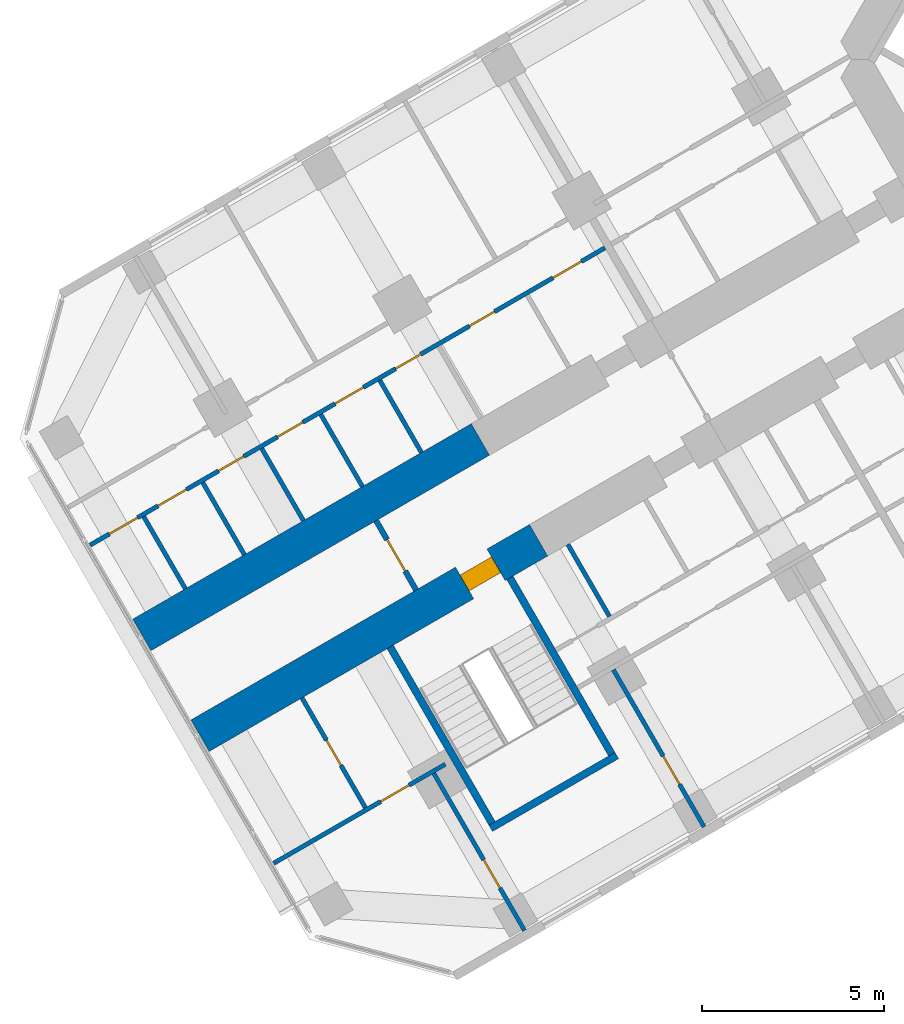
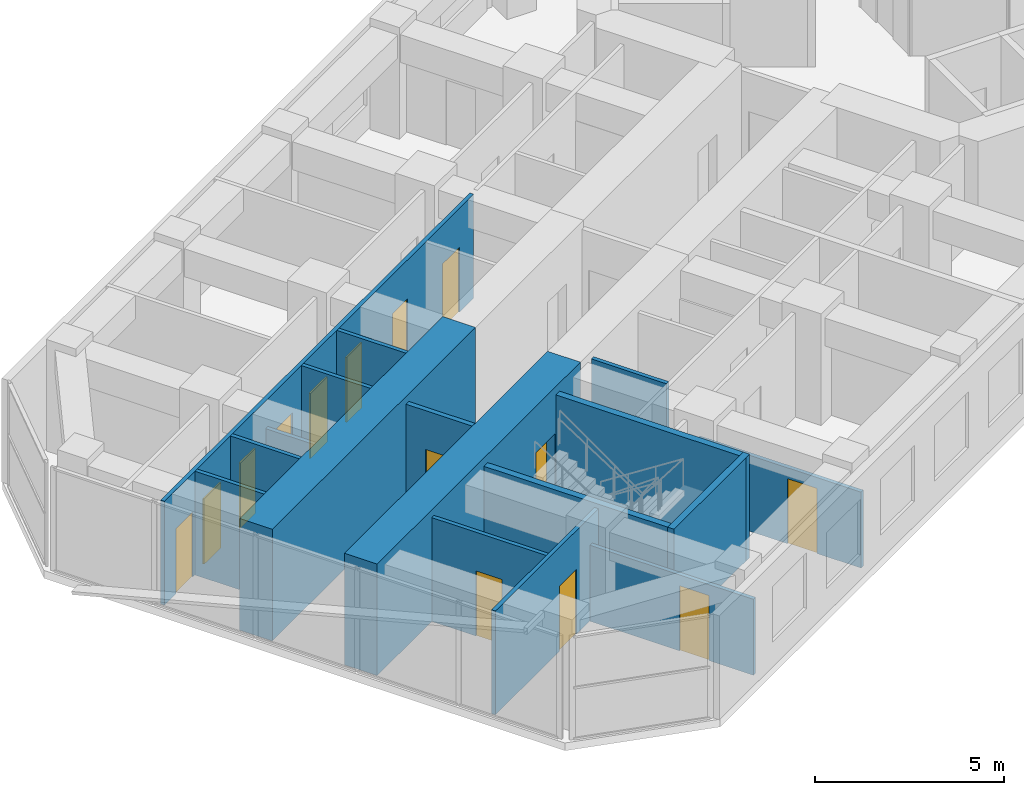
# One storey, part 10 of 21: 17 walls, 14 doors, 14 openings.
"""IFC4 building model written with IfcOpenShell, lengths in metres."""

from ifc_helpers import new_model, si_unit, direction, frame, frame_2d, origin, place, context, subcontext, project, spatial, rectangle, extrude, material, layer, layer_set, type_object, element, fill, save


model = new_model("IFC4")

# Units and contexts
model_context = context("Model", 3, precision=1e-05, world=origin(), true_north=direction((0.0, 1.0)))
body_context = subcontext(model_context, "Body", "Model", "MODEL_VIEW")
ifc_project = project(units=[si_unit("LENGTHUNIT", "METRE"), si_unit("AREAUNIT", "SQUARE_METRE"), si_unit("VOLUMEUNIT", "CUBIC_METRE"), si_unit("PLANEANGLEUNIT", "RADIAN"), si_unit("MASSUNIT", "GRAM", prefix="KILO")], contexts=[model_context])

# Site, building, storey
site_placement = place(None, origin())
site = spatial("IfcSite", under=ifc_project, at=site_placement, CompositionType="ELEMENT")
building_placement = place(site_placement, origin())
building = spatial("IfcBuilding", under=site, at=building_placement, Name="Kosmar Iwan School Tower", CompositionType="ELEMENT")
storey_placement = place(building_placement, frame((0.0, 0.0, 106.0)))
storey = spatial("IfcBuildingStorey", under=building, at=storey_placement, Name="L26", CompositionType="ELEMENT", Elevation=106.0)

# Wall, opening, door
ifc_material_1 = material(Name="Concrete C50/60", Category="concrete")
ifc_layer_1 = layer(ifc_material_1, 1.0)
ifc_layer_set_1 = layer_set([ifc_layer_1], Name="Corridor buttress wall 1000")
wall_type_1 = type_object("IfcWallType", Name="Corridor buttress wall 1000", PredefinedType="SHEAR", material=ifc_layer_set_1)
wall_1_placement = place(storey_placement, frame((-19.681396484375, -13.210693359375, 0.0), z_axis=(0.0, 0.0, 1.0), x_axis=(-0.866028186671, -0.499995179869, 0.0)))
wall_1 = element("IfcWall", 1, at=wall_1_placement, inside=storey, type_object=wall_type_1, Name="Corridor wall BL bay 3", PredefinedType="SHEAR", context=body_context, shape_type="SweptSolid", body=[
    extrude(rectangle(XDim=10.7451171875, YDim=1.0, at=frame_2d((5.37255859375, 0.0))), origin(), (0.0, 0.0, 1.0), 3.60009765625),
])
opening_1_placement = place(wall_1_placement, frame((1.35009765625, 0.0, 0.0)))
opening_1 = element("IfcOpeningElement", 2, at=opening_1_placement, cuts=wall_1, Name="Opening D6", PredefinedType="OPENING", context=body_context, shape_type="SweptSolid", body=[
    extrude(rectangle(XDim=1.0, YDim=2.10009765625, at=frame_2d((0.5, 1.050048828125))), frame((0.0, 0.511962890625, 0.0), z_axis=(0.0, -1.0, 0.0), x_axis=(1.0, 0.0, 0.0)), (0.0, 0.0, 1.0), 1.02392578125),
])
ifc_material_2 = material(Name="Steel fire door", Category="steel")
door_type_1 = type_object("IfcDoorType", Name="Stair door 1000x2100", OperationType="SINGLE_SWING_LEFT", PredefinedType="DOOR", material=ifc_material_2)
door_1_placement = place(opening_1_placement, origin())
door_1 = element("IfcDoor", 3, at=door_1_placement, inside=storey, type_object=door_type_1, Name="Stair WS2 door L26", OperationType="SINGLE_SWING_LEFT", OverallHeight=2.10009765625, OverallWidth=1.0, PredefinedType="DOOR", context=body_context, shape_type="SweptSolid", body=[
    extrude(rectangle(XDim=1.0, YDim=2.10009765625, at=frame_2d((0.5, 1.050048828125))), frame((0.0, 0.25, 0.0), z_axis=(0.0, -1.0, 0.0), x_axis=(1.0, 0.0, 0.0)), (0.0, 0.0, 1.0), 0.5),
])
fill(opening_1, door_1)

# Wall
wall_2_placement = place(storey_placement, frame((-21.281494140625, -10.439453125, 0.0), z_axis=(0.0, 0.0, 1.0), x_axis=(-0.866032345022, -0.499987977232, 0.0)))
element("IfcWall", 4, at=wall_2_placement, inside=storey, type_object=wall_type_1, Name="Corridor wall BR bay 3", PredefinedType="SHEAR", context=body_context, shape_type="SweptSolid", body=[
    extrude(rectangle(XDim=10.744873046875, YDim=1.0, at=frame_2d((5.37255859375, 0.0))), origin(), (0.0, 0.0, 1.0), 3.60009765625),
])

# Wall, opening, door
ifc_material_3 = material(Name="Gypsum board on steel studs, fire-rated", Category="steel")
ifc_layer_2 = layer(ifc_material_3, 0.14990234375)
ifc_layer_set_2 = layer_set([ifc_layer_2], Name="Corridor end wall 150")
wall_type_2 = type_object("IfcWallType", Name="Corridor end wall 150", PredefinedType="PARTITIONING", material=ifc_layer_set_2)
wall_3_placement = place(storey_placement, frame((-24.149169921875, -12.67236328125, 0.0), z_axis=(0.0, 0.0, 1.0), x_axis=(0.50002983664, -0.866008176907, 0.0)))
wall_3 = element("IfcWall", 5, at=wall_3_placement, inside=storey, type_object=wall_type_2, Name="Partition L26-B-CE", PredefinedType="PARTITIONING", context=body_context, shape_type="SweptSolid", body=[
    extrude(rectangle(XDim=2.199951171875, YDim=0.14990234375, at=frame_2d((1.10009765625, 0.0))), origin(), (0.0, 0.0, 1.0), 3.35009765625),
])
opening_2_placement = place(wall_3_placement, frame((0.60009765625, 0.0, 0.0)))
opening_2 = element("IfcOpeningElement", 6, at=opening_2_placement, cuts=wall_3, Name="Opening D13", PredefinedType="OPENING", context=body_context, shape_type="SweptSolid", body=[
    extrude(rectangle(XDim=1.0, YDim=2.10009765625, at=frame_2d((0.5, 1.050048828125))), frame((0.0, 0.0869140625, 0.0), z_axis=(0.0, -1.0, 0.0), x_axis=(1.0, 0.0, 0.0)), (0.0, 0.0, 1.0), 0.173828125),
])
ifc_material_4 = material(Name="Timber fire door with vision panel", Category="wood")
door_type_2 = type_object("IfcDoorType", Name="Corridor end door 1000x2100", OperationType="SINGLE_SWING_LEFT", PredefinedType="DOOR", material=ifc_material_4)
door_2_placement = place(opening_2_placement, origin())
door_2 = element("IfcDoor", 7, at=door_2_placement, inside=storey, type_object=door_type_2, Name="Reading room door L26-B", OperationType="SINGLE_SWING_LEFT", OverallHeight=2.10009765625, OverallWidth=1.0, PredefinedType="DOOR", context=body_context, shape_type="SweptSolid", body=[
    extrude(rectangle(XDim=1.0, YDim=2.10009765625, at=frame_2d((0.5, 1.050048828125))), frame((0.0, 0.02490234375, 0.0), z_axis=(0.0, -1.0, 0.0), x_axis=(1.0, 0.0, 0.0)), (0.0, 0.0, 1.0), 0.050048828125),
])
fill(opening_2, door_2)

# Wall
ifc_material_5 = material(Name="Gypsum board on steel studs", Category="steel")
ifc_layer_3 = layer(ifc_material_5, 0.1201171875)
ifc_layer_set_3 = layer_set([ifc_layer_3], Name="Dwelling partition 120")
wall_type_3 = type_object("IfcWallType", Name="Dwelling partition 120", PredefinedType="PARTITIONING", material=ifc_layer_set_3)
wall_4_placement = place(storey_placement, frame((-18.877197265625, -13.32373046875, 0.0), z_axis=(0.0, 0.0, 1.0), x_axis=(0.500014693593, -0.866016920268, 0.0)))
element("IfcWall", 8, at=wall_4_placement, inside=storey, type_object=wall_type_3, Name="Partition L26-BL2-Y4", PredefinedType="PARTITIONING", context=body_context, shape_type="SweptSolid", body=[
    extrude(rectangle(XDim=2.2900390625, YDim=0.1201171875, at=frame_2d((1.14501953125, 0.0))), origin(), (0.0, 0.0, 1.0), 3.35009765625),
])

# Wall, opening, door
wall_5_placement = place(storey_placement, frame((-17.62646484375, -16.77001953125, 0.0), z_axis=(0.0, 0.0, 1.0), x_axis=(0.499975153383, -0.86603974851, 0.0)))
wall_5 = element("IfcWall", 9, at=wall_5_placement, inside=storey, type_object=wall_type_3, Name="Partition L26-BL2-TB", PredefinedType="PARTITIONING", context=body_context, shape_type="SweptSolid", body=[
    extrude(rectangle(XDim=4.989990234375, YDim=0.1201171875, at=frame_2d((2.4951171875, 0.0))), origin(), (0.0, 0.0, 1.0), 2.449951171875),
])
opening_3_placement = place(wall_5_placement, frame((2.739990234375, 0.0, 0.0)))
opening_3 = element("IfcOpeningElement", 10, at=opening_3_placement, cuts=wall_5, Name="Opening D2", PredefinedType="OPENING", context=body_context, shape_type="SweptSolid", body=[
    extrude(rectangle(XDim=0.89990234375, YDim=2.10009765625, at=frame_2d((0.449951171875, 1.050048828125))), frame((0.0, 0.072021484375, 0.0), z_axis=(0.0, -1.0, 0.0), x_axis=(1.0, 0.0, 0.0)), (0.0, 0.0, 1.0), 0.14404296875),
])
ifc_material_6 = material(Name="Timber door in timber frame", Category="wood")
door_type_3 = type_object("IfcDoorType", Name="Internal door 900x2100", OperationType="SINGLE_SWING_LEFT", PredefinedType="DOOR", material=ifc_material_6)
door_3_placement = place(opening_3_placement, origin())
door_3 = element("IfcDoor", 11, at=door_3_placement, inside=storey, type_object=door_type_3, Name="Study door L26-BL2-F2", OperationType="SINGLE_SWING_RIGHT", OverallHeight=2.10009765625, OverallWidth=0.89990234375, PredefinedType="DOOR", context=body_context, shape_type="SweptSolid", body=[
    extrude(rectangle(XDim=0.89990234375, YDim=2.10009765625, at=frame_2d((0.449951171875, 1.050048828125))), frame((0.0, 0.02490234375, 0.0), z_axis=(0.0, -1.0, 0.0), x_axis=(1.0, 0.0, 0.0)), (0.0, 0.0, 1.0), 0.050048828125),
])
fill(opening_3, door_3)

wall_6_placement = place(storey_placement, frame((-22.562744140625, -19.6201171875, 0.0), z_axis=(0.0, 0.0, 1.0), x_axis=(0.499996339024, -0.86602751744, 0.0)))
wall_6 = element("IfcWall", 12, at=wall_6_placement, inside=storey, type_object=wall_type_3, Name="Partition L26-BL2-TX", PredefinedType="PARTITIONING", context=body_context, shape_type="SweptSolid", body=[
    extrude(rectangle(XDim=4.98974609375, YDim=0.1201171875, at=frame_2d((2.494873046875, 0.0))), origin(), (0.0, 0.0, 1.0), 2.449951171875),
])
opening_4_placement = place(wall_6_placement, frame((2.739990234375, 0.0, 0.0)))
opening_4 = element("IfcOpeningElement", 13, at=opening_4_placement, cuts=wall_6, Name="Opening D2", PredefinedType="OPENING", context=body_context, shape_type="SweptSolid", body=[
    extrude(rectangle(XDim=0.89990234375, YDim=2.10009765625, at=frame_2d((0.449951171875, 1.050048828125))), frame((0.0, 0.072021484375, 0.0), z_axis=(0.0, -1.0, 0.0), x_axis=(1.0, 0.0, 0.0)), (0.0, 0.0, 1.0), 0.14404296875),
])
door_4_placement = place(opening_4_placement, origin())
door_4 = element("IfcDoor", 14, at=door_4_placement, inside=storey, type_object=door_type_3, Name="Study door L26-BL2-T1", OperationType="SINGLE_SWING_RIGHT", OverallHeight=2.10009765625, OverallWidth=0.89990234375, PredefinedType="DOOR", context=body_context, shape_type="SweptSolid", body=[
    extrude(rectangle(XDim=0.89990234375, YDim=2.10009765625, at=frame_2d((0.449951171875, 1.050048828125))), frame((0.0, 0.02490234375, 0.0), z_axis=(0.0, -1.0, 0.0), x_axis=(1.0, 0.0, 0.0)), (0.0, 0.0, 1.0), 0.050048828125),
])
fill(opening_4, door_4)

wall_7_placement = place(storey_placement, frame((-22.246337890625, -19.3681640625, 0.0), z_axis=(0.0, 0.0, 1.0), x_axis=(-0.866035508231, -0.499982498177, 0.0)))
wall_7 = element("IfcWall", 15, at=wall_7_placement, inside=storey, type_object=wall_type_3, Name="Partition L26-BL2-TW", PredefinedType="PARTITIONING", context=body_context, shape_type="SweptSolid", body=[
    extrude(rectangle(XDim=5.445068359375, YDim=0.1201171875, at=frame_2d((2.72265625, 0.0))), origin(), (0.0, 0.0, 1.0), 3.35009765625),
])
opening_5_placement = place(wall_7_placement, frame((1.14990234375, 0.0, 0.0)))
opening_5 = element("IfcOpeningElement", 16, at=opening_5_placement, cuts=wall_7, Name="Opening D2", PredefinedType="OPENING", context=body_context, shape_type="SweptSolid", body=[
    extrude(rectangle(XDim=0.89990234375, YDim=2.10009765625, at=frame_2d((0.449951171875, 1.050048828125))), frame((0.0, 0.072021484375, 0.0), z_axis=(0.0, -1.0, 0.0), x_axis=(1.0, 0.0, 0.0)), (0.0, 0.0, 1.0), 0.14404296875),
])
door_5_placement = place(opening_5_placement, origin())
door_5 = element("IfcDoor", 17, at=door_5_placement, inside=storey, type_object=door_type_3, Name="Dressing room door L26-BL2-T3", OperationType="SINGLE_SWING_LEFT", OverallHeight=2.10009765625, OverallWidth=0.89990234375, PredefinedType="DOOR", context=body_context, shape_type="SweptSolid", body=[
    extrude(rectangle(XDim=0.89990234375, YDim=2.10009765625, at=frame_2d((0.449951171875, 1.050048828125))), frame((0.0, 0.02490234375, 0.0), z_axis=(0.0, -1.0, 0.0), x_axis=(1.0, 0.0, 0.0)), (0.0, 0.0, 1.0), 0.050048828125),
])
fill(opening_5, door_5)

wall_8_placement = place(storey_placement, frame((-26.1865234375, -17.543701171875, 0.0), z_axis=(0.0, 0.0, 1.0), x_axis=(0.50002117804, -0.866013176292, 0.0)))
wall_8 = element("IfcWall", 18, at=wall_8_placement, inside=storey, type_object=wall_type_3, Name="Partition L26-BL2-TY", PredefinedType="PARTITIONING", context=body_context, shape_type="SweptSolid", body=[
    extrude(rectangle(XDim=3.489990234375, YDim=0.1201171875, at=frame_2d((1.7451171875, 0.0))), origin(), (0.0, 0.0, 1.0), 3.35009765625),
])
opening_6_placement = place(wall_8_placement, frame((1.344970703125, 0.0, 0.0)))
opening_6 = element("IfcOpeningElement", 19, at=opening_6_placement, cuts=wall_8, Name="Opening D3", PredefinedType="OPENING", context=body_context, shape_type="SweptSolid", body=[
    extrude(rectangle(XDim=0.800048828125, YDim=2.10009765625, at=frame_2d((0.39990234375, 1.050048828125))), frame((0.0, 0.072021484375, 0.0), z_axis=(0.0, -1.0, 0.0), x_axis=(1.0, 0.0, 0.0)), (0.0, 0.0, 1.0), 0.14404296875),
])
ifc_material_7 = material(Name="Timber door in timber frame", Category="wood")
door_type_4 = type_object("IfcDoorType", Name="Sanitary room door 800x2100", OperationType="SINGLE_SWING_LEFT", PredefinedType="DOOR", material=ifc_material_7)
door_6_placement = place(opening_6_placement, origin())
door_6 = element("IfcDoor", 20, at=door_6_placement, inside=storey, type_object=door_type_4, Name="Shower room door L26-BL2-T4", OperationType="SINGLE_SWING_LEFT", OverallHeight=2.10009765625, OverallWidth=0.800048828125, PredefinedType="DOOR", context=body_context, shape_type="SweptSolid", body=[
    extrude(rectangle(XDim=0.800048828125, YDim=2.10009765625, at=frame_2d((0.39990234375, 1.050048828125))), frame((0.0, 0.02490234375, 0.0), z_axis=(0.0, -1.0, 0.0), x_axis=(1.0, 0.0, 0.0)), (0.0, 0.0, 1.0), 0.050048828125),
])
fill(opening_6, door_6)

# Wall, openings, doors
wall_9_placement = place(storey_placement, frame((-17.856689453125, -5.171142578125, 0.0), z_axis=(0.0, 0.0, 1.0), x_axis=(-0.866023907196, -0.500002592159, 0.0)))
wall_9 = element("IfcWall", 21, at=wall_9_placement, inside=storey, type_object=wall_type_3, Name="Partition L26-BR2-W1", PredefinedType="PARTITIONING", context=body_context, shape_type="SweptSolid", body=[
    extrude(rectangle(XDim=16.34521484375, YDim=0.1201171875, at=frame_2d((8.172607421875, 0.0))), origin(), (0.0, 0.0, 1.0), 3.35009765625),
])
opening_7_placement = place(wall_9_placement, frame((0.75, 0.0, 0.0)))
opening_7 = element("IfcOpeningElement", 22, at=opening_7_placement, cuts=wall_9, Name="Opening D2", PredefinedType="OPENING", context=body_context, shape_type="SweptSolid", body=[
    extrude(rectangle(XDim=0.89990234375, YDim=2.10009765625, at=frame_2d((0.449951171875, 1.050048828125))), frame((0.0, 0.072021484375, 0.0), z_axis=(0.0, -1.0, 0.0), x_axis=(1.0, 0.0, 0.0)), (0.0, 0.0, 1.0), 0.14404296875),
])
opening_8_placement = place(wall_9_placement, frame((3.505126953125, 0.0, 0.0)))
opening_8 = element("IfcOpeningElement", 23, at=opening_8_placement, cuts=wall_9, Name="Opening D3", PredefinedType="OPENING", context=body_context, shape_type="SweptSolid", body=[
    extrude(rectangle(XDim=0.800048828125, YDim=2.10009765625, at=frame_2d((0.39990234375, 1.050048828125))), frame((0.0, 0.072021484375, 0.0), z_axis=(0.0, -1.0, 0.0), x_axis=(1.0, 0.0, 0.0)), (0.0, 0.0, 1.0), 0.14404296875),
])
opening_9_placement = place(wall_9_placement, frame((5.8466796875, 0.0, 0.0)))
opening_9 = element("IfcOpeningElement", 24, at=opening_9_placement, cuts=wall_9, Name="Opening D3", PredefinedType="OPENING", context=body_context, shape_type="SweptSolid", body=[
    extrude(rectangle(XDim=0.800048828125, YDim=2.10009765625, at=frame_2d((0.39990234375, 1.050048828125))), frame((0.0, 0.072021484375, 0.0), z_axis=(0.0, -1.0, 0.0), x_axis=(1.0, 0.0, 0.0)), (0.0, 0.0, 1.0), 0.14404296875),
])
opening_10_placement = place(wall_9_placement, frame((7.669921875, 0.0, 0.0)))
opening_10 = element("IfcOpeningElement", 25, at=opening_10_placement, cuts=wall_9, Name="Opening D2", PredefinedType="OPENING", context=body_context, shape_type="SweptSolid", body=[
    extrude(rectangle(XDim=0.89990234375, YDim=2.10009765625, at=frame_2d((0.449951171875, 1.050048828125))), frame((0.0, 0.072021484375, 0.0), z_axis=(0.0, -1.0, 0.0), x_axis=(1.0, 0.0, 0.0)), (0.0, 0.0, 1.0), 0.14404296875),
])
opening_11_placement = place(wall_9_placement, frame((9.59326171875, 0.0, 0.0)))
opening_11 = element("IfcOpeningElement", 26, at=opening_11_placement, cuts=wall_9, Name="Opening D3", PredefinedType="OPENING", context=body_context, shape_type="SweptSolid", body=[
    extrude(rectangle(XDim=0.800048828125, YDim=2.10009765625, at=frame_2d((0.39990234375, 1.050048828125))), frame((0.0, 0.072021484375, 0.0), z_axis=(0.0, -1.0, 0.0), x_axis=(1.0, 0.0, 0.0)), (0.0, 0.0, 1.0), 0.14404296875),
])
opening_12_placement = place(wall_9_placement, frame((11.466796875, 0.0, 0.0)))
opening_12 = element("IfcOpeningElement", 27, at=opening_12_placement, cuts=wall_9, Name="Opening D3", PredefinedType="OPENING", context=body_context, shape_type="SweptSolid", body=[
    extrude(rectangle(XDim=0.800048828125, YDim=2.10009765625, at=frame_2d((0.39990234375, 1.050048828125))), frame((0.0, 0.072021484375, 0.0), z_axis=(0.0, -1.0, 0.0), x_axis=(1.0, 0.0, 0.0)), (0.0, 0.0, 1.0), 0.14404296875),
])
opening_13_placement = place(wall_9_placement, frame((13.2900390625, 0.0, 0.0)))
opening_13 = element("IfcOpeningElement", 28, at=opening_13_placement, cuts=wall_9, Name="Opening D2", PredefinedType="OPENING", context=body_context, shape_type="SweptSolid", body=[
    extrude(rectangle(XDim=0.89990234375, YDim=2.10009765625, at=frame_2d((0.449951171875, 1.050048828125))), frame((0.0, 0.072021484375, 0.0), z_axis=(0.0, -1.0, 0.0), x_axis=(1.0, 0.0, 0.0)), (0.0, 0.0, 1.0), 0.14404296875),
])
opening_14_placement = place(wall_9_placement, frame((14.836669921875, 0.0, 0.0)))
opening_14 = element("IfcOpeningElement", 29, at=opening_14_placement, cuts=wall_9, Name="Opening D2", PredefinedType="OPENING", context=body_context, shape_type="SweptSolid", body=[
    extrude(rectangle(XDim=0.89990234375, YDim=2.10009765625, at=frame_2d((0.449951171875, 1.050048828125))), frame((0.0, 0.072021484375, 0.0), z_axis=(0.0, -1.0, 0.0), x_axis=(1.0, 0.0, 0.0)), (0.0, 0.0, 1.0), 0.14404296875),
])
door_7_placement = place(opening_7_placement, origin())
door_7 = element("IfcDoor", 30, at=door_7_placement, inside=storey, type_object=door_type_3, Name="Entrance hall door L26-BR2-S1", OperationType="SINGLE_SWING_RIGHT", OverallHeight=2.10009765625, OverallWidth=0.89990234375, PredefinedType="DOOR", context=body_context, shape_type="SweptSolid", body=[
    extrude(rectangle(XDim=0.89990234375, YDim=2.10009765625, at=frame_2d((0.449951171875, 1.050048828125))), frame((0.0, 0.02490234375, 0.0), z_axis=(0.0, -1.0, 0.0), x_axis=(1.0, 0.0, 0.0)), (0.0, 0.0, 1.0), 0.050048828125),
])
fill(opening_7, door_7)
door_8_placement = place(opening_10_placement, origin())
door_8 = element("IfcDoor", 31, at=door_8_placement, inside=storey, type_object=door_type_3, Name="Pantry door L26-BR2-S4", OperationType="SINGLE_SWING_LEFT", OverallHeight=2.10009765625, OverallWidth=0.89990234375, PredefinedType="DOOR", context=body_context, shape_type="SweptSolid", body=[
    extrude(rectangle(XDim=0.89990234375, YDim=2.10009765625, at=frame_2d((0.449951171875, 1.050048828125))), frame((0.0, 0.02490234375, 0.0), z_axis=(0.0, -1.0, 0.0), x_axis=(1.0, 0.0, 0.0)), (0.0, 0.0, 1.0), 0.050048828125),
])
fill(opening_10, door_8)
door_9_placement = place(opening_13_placement, origin())
door_9 = element("IfcDoor", 32, at=door_9_placement, inside=storey, type_object=door_type_3, Name="Utility room door L26-BR2-S7", OperationType="SINGLE_SWING_RIGHT", OverallHeight=2.10009765625, OverallWidth=0.89990234375, PredefinedType="DOOR", context=body_context, shape_type="SweptSolid", body=[
    extrude(rectangle(XDim=0.89990234375, YDim=2.10009765625, at=frame_2d((0.449951171875, 1.050048828125))), frame((0.0, 0.02490234375, 0.0), z_axis=(0.0, -1.0, 0.0), x_axis=(1.0, 0.0, 0.0)), (0.0, 0.0, 1.0), 0.050048828125),
])
fill(opening_13, door_9)
door_10_placement = place(opening_14_placement, origin())
door_10 = element("IfcDoor", 33, at=door_10_placement, inside=storey, type_object=door_type_3, Name="Dressing room door L26-BR2-S8", OperationType="SINGLE_SWING_LEFT", OverallHeight=2.10009765625, OverallWidth=0.89990234375, PredefinedType="DOOR", context=body_context, shape_type="SweptSolid", body=[
    extrude(rectangle(XDim=0.89990234375, YDim=2.10009765625, at=frame_2d((0.449951171875, 1.050048828125))), frame((0.0, 0.02490234375, 0.0), z_axis=(0.0, -1.0, 0.0), x_axis=(1.0, 0.0, 0.0)), (0.0, 0.0, 1.0), 0.050048828125),
])
fill(opening_14, door_10)
door_11_placement = place(opening_8_placement, origin())
door_11 = element("IfcDoor", 34, at=door_11_placement, inside=storey, type_object=door_type_4, Name="Bathroom door L26-BR2-S2", OperationType="SINGLE_SWING_LEFT", OverallHeight=2.10009765625, OverallWidth=0.800048828125, PredefinedType="DOOR", context=body_context, shape_type="SweptSolid", body=[
    extrude(rectangle(XDim=0.800048828125, YDim=2.10009765625, at=frame_2d((0.39990234375, 1.050048828125))), frame((0.0, 0.02490234375, 0.0), z_axis=(0.0, -1.0, 0.0), x_axis=(1.0, 0.0, 0.0)), (0.0, 0.0, 1.0), 0.050048828125),
])
fill(opening_8, door_11)
door_12_placement = place(opening_9_placement, origin())
door_12 = element("IfcDoor", 35, at=door_12_placement, inside=storey, type_object=door_type_4, Name="Shower room door L26-BR2-S3", OperationType="SINGLE_SWING_RIGHT", OverallHeight=2.10009765625, OverallWidth=0.800048828125, PredefinedType="DOOR", context=body_context, shape_type="SweptSolid", body=[
    extrude(rectangle(XDim=0.800048828125, YDim=2.10009765625, at=frame_2d((0.39990234375, 1.050048828125))), frame((0.0, 0.02490234375, 0.0), z_axis=(0.0, -1.0, 0.0), x_axis=(1.0, 0.0, 0.0)), (0.0, 0.0, 1.0), 0.050048828125),
])
fill(opening_9, door_12)
door_13_placement = place(opening_11_placement, origin())
door_13 = element("IfcDoor", 36, at=door_13_placement, inside=storey, type_object=door_type_4, Name="WC door L26-BR2-S5", OperationType="SINGLE_SWING_RIGHT", OverallHeight=2.10009765625, OverallWidth=0.800048828125, PredefinedType="DOOR", context=body_context, shape_type="SweptSolid", body=[
    extrude(rectangle(XDim=0.800048828125, YDim=2.10009765625, at=frame_2d((0.39990234375, 1.050048828125))), frame((0.0, 0.02490234375, 0.0), z_axis=(0.0, -1.0, 0.0), x_axis=(1.0, 0.0, 0.0)), (0.0, 0.0, 1.0), 0.050048828125),
])
fill(opening_11, door_13)
door_14_placement = place(opening_12_placement, origin())
door_14 = element("IfcDoor", 37, at=door_14_placement, inside=storey, type_object=door_type_4, Name="Store door L26-BR2-S6", OperationType="SINGLE_SWING_LEFT", OverallHeight=2.10009765625, OverallWidth=0.800048828125, PredefinedType="DOOR", context=body_context, shape_type="SweptSolid", body=[
    extrude(rectangle(XDim=0.800048828125, YDim=2.10009765625, at=frame_2d((0.39990234375, 1.050048828125))), frame((0.0, 0.02490234375, 0.0), z_axis=(0.0, -1.0, 0.0), x_axis=(1.0, 0.0, 0.0)), (0.0, 0.0, 1.0), 0.050048828125),
])
fill(opening_12, door_14)

# Walls
wall_10_placement = place(storey_placement, frame((-22.902587890625, -10.798095703125, 0.0), z_axis=(0.0, 0.0, 1.0), x_axis=(-0.499968531483, 0.866043571379, 0.0)))
element("IfcWall", 38, at=wall_10_placement, inside=storey, type_object=wall_type_3, Name="Partition L26-BR2-Y3", PredefinedType="PARTITIONING", context=body_context, shape_type="SweptSolid", body=[
    extrude(rectangle(XDim=2.290283203125, YDim=0.1201171875, at=frame_2d((1.14501953125, 0.0))), origin(), (0.0, 0.0, 1.0), 3.35009765625),
])
wall_11_placement = place(storey_placement, frame((-24.525146484375, -11.734619140625, 0.0), z_axis=(0.0, 0.0, 1.0), x_axis=(-0.500014693593, 0.866016920268, 0.0)))
element("IfcWall", 39, at=wall_11_placement, inside=storey, type_object=wall_type_3, Name="Partition L26-BR2-Y4", PredefinedType="PARTITIONING", context=body_context, shape_type="SweptSolid", body=[
    extrude(rectangle(XDim=2.2900390625, YDim=0.1201171875, at=frame_2d((1.14501953125, 0.0))), origin(), (0.0, 0.0, 1.0), 3.35009765625),
])
wall_12_placement = place(storey_placement, frame((-26.1474609375, -12.67138671875, 0.0), z_axis=(0.0, 0.0, 1.0), x_axis=(-0.500014693593, 0.866016920268, 0.0)))
element("IfcWall", 40, at=wall_12_placement, inside=storey, type_object=wall_type_3, Name="Partition L26-BR2-Y5", PredefinedType="PARTITIONING", context=body_context, shape_type="SweptSolid", body=[
    extrude(rectangle(XDim=2.2900390625, YDim=0.1201171875, at=frame_2d((1.14501953125, 0.0))), origin(), (0.0, 0.0, 1.0), 2.449951171875),
])
for number, where, z_axis, x_axis, name in (
    (41, (-27.769775390625, -13.60791015625, 0.0), (0.0, 0.0, 1.0), (-0.500014693593, 0.866016920268, 0.0), "Partition L26-BR2-Y6"),
    (42, (-29.39208984375, -14.544677734375, 0.0), (0.0, 0.0, 1.0), (-0.500014693593, 0.866016920268, 0.0), "Partition L26-BR2-Y7"),
):
    element("IfcWall", number, at=place(storey_placement, frame(where, z_axis=z_axis, x_axis=x_axis)), inside=storey, type_object=wall_type_3, Name=name, PredefinedType="PARTITIONING", context=body_context, shape_type="SweptSolid", body=[
        extrude(rectangle(XDim=2.2900390625, YDim=0.1201171875, at=frame_2d((1.14501953125, 0.0))), origin(), (0.0, 0.0, 1.0), 3.35009765625),
    ])
ifc_material_8 = material(Name="Concrete C35/45", Category="concrete")
ifc_layer_4 = layer(ifc_material_8, 0.199951171875)
ifc_layer_set_4 = layer_set([ifc_layer_4], Name="Escape stair wall 200")
wall_type_4 = type_object("IfcWallType", Name="Escape stair wall 200", PredefinedType="SHEAR", material=ifc_layer_set_4)
for number, where, z_axis, x_axis, name in (
    (43, (-20.470703125, -14.24365234375, 0.0), (0.0, 0.0, 1.0), (0.499987231761, -0.866032775405, 0.0), "Stair WS2 wall"),
    (44, (-23.76171875, -16.1435546875, 0.0), (0.0, 0.0, 1.0), (0.500018801468, -0.86601454848, 0.0), "Stair WS2 wall"),
):
    element("IfcWall", number, at=place(storey_placement, frame(where, z_axis=z_axis, x_axis=x_axis)), inside=storey, type_object=wall_type_4, Name=name, PredefinedType="SHEAR", context=body_context, shape_type="SweptSolid", body=[
        extrude(rectangle(XDim=5.800048828125, YDim=0.199951171875, at=frame_2d((2.89990234375, 0.0))), origin(), (0.0, 0.0, 1.0), 3.330078125),
    ])
wall_13_placement = place(storey_placement, frame((-17.5341796875, -19.1298828125, 0.0), z_axis=(0.0, 0.0, 1.0), x_axis=(-0.866026010844, -0.49999894854, 0.0)))
element("IfcWall", 45, at=wall_13_placement, inside=storey, type_object=wall_type_4, Name="Stair WS2 wall", PredefinedType="SHEAR", context=body_context, shape_type="SweptSolid", body=[
    extrude(rectangle(XDim=4.0, YDim=0.199951171875, at=frame_2d((2.0, 0.0))), origin(), (0.0, 0.0, 1.0), 3.330078125),
])

save(model, "model.ifc")
